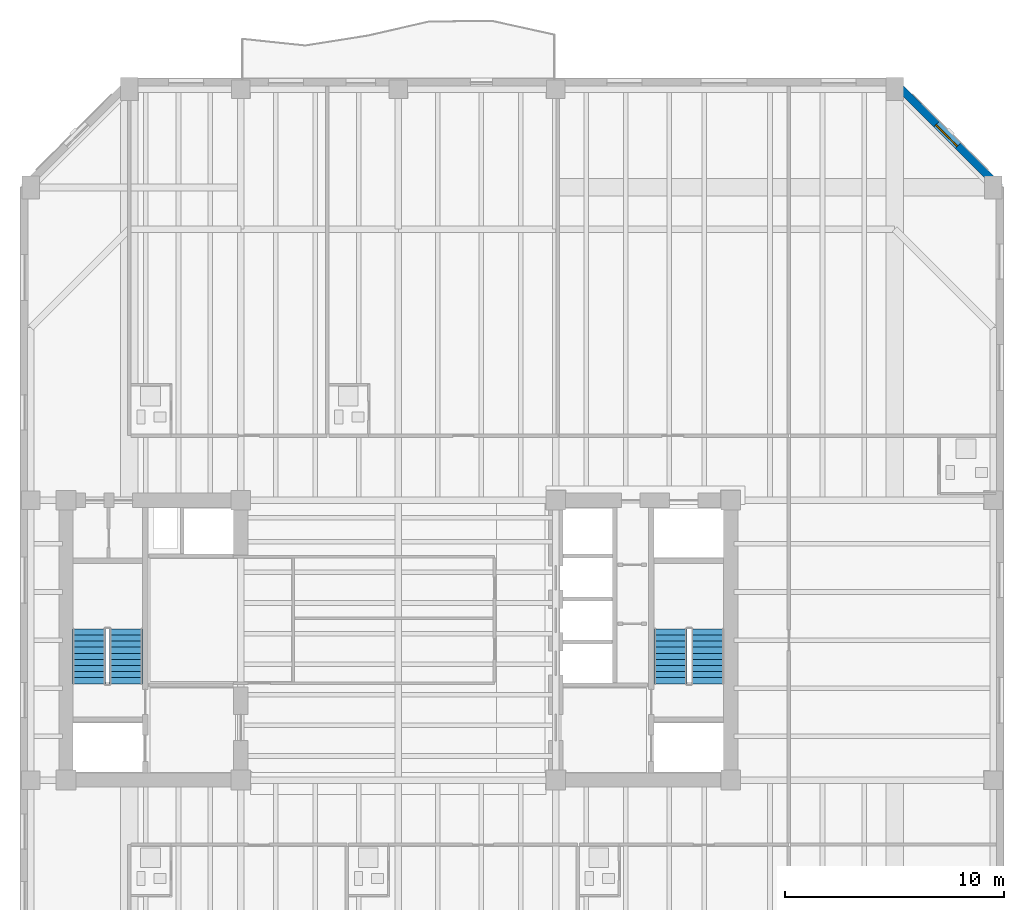
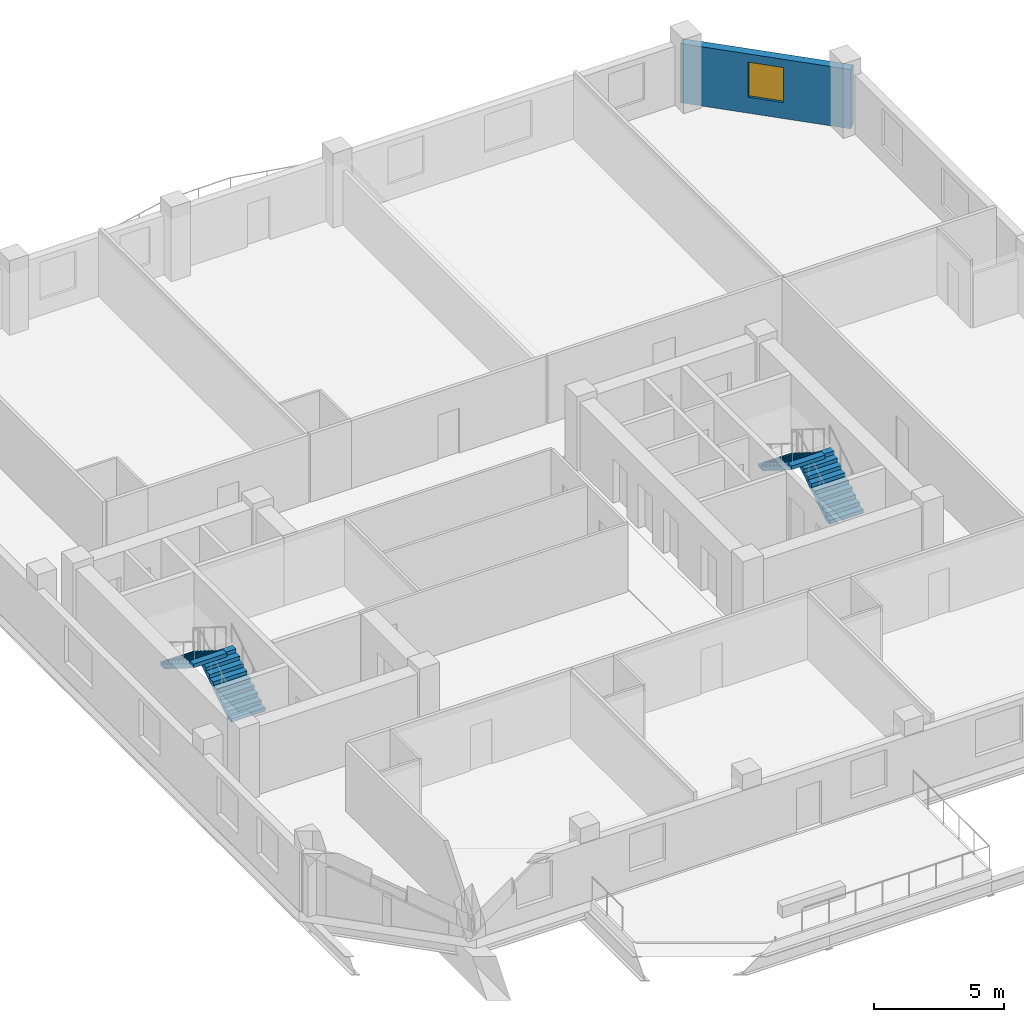
# One storey, part 6 of 10: 4 stair flights, 1 wall, 1 window, 1 opening, 2 elements without a shape of their own.
"""IFC4 building model written with IfcOpenShell, lengths in metres."""

from ifc_helpers import new_model, si_unit, direction, frame, frame_2d, origin, place, context, subcontext, project, spatial, polyline, rectangle, outline, extrude, material, layer, layer_set, type_object, element, fill, aggregate, save


model = new_model("IFC4")

# Units and contexts
model_context = context("Model", 3, precision=1e-05, world=origin(), true_north=direction((0.0, 1.0)))
body_context = subcontext(model_context, "Body", "Model", "MODEL_VIEW")
ifc_project = project(units=[si_unit("LENGTHUNIT", "METRE"), si_unit("AREAUNIT", "SQUARE_METRE"), si_unit("VOLUMEUNIT", "CUBIC_METRE"), si_unit("PLANEANGLEUNIT", "RADIAN"), si_unit("MASSUNIT", "GRAM", prefix="KILO")], contexts=[model_context])

# Site, building, storey
site_placement = place(None, origin())
site = spatial("IfcSite", under=ifc_project, at=site_placement, CompositionType="ELEMENT")
building_placement = place(site_placement, origin())
building = spatial("IfcBuilding", under=site, at=building_placement, Name="Kranthara Brick Stack", CompositionType="ELEMENT")
storey_placement = place(building_placement, frame((0.0, 0.0, 162.300048828125)))
storey = spatial("IfcBuildingStorey", under=building, at=storey_placement, Name="L41", CompositionType="ELEMENT", Elevation=162.300048828125)

# Wall, opening, window
ifc_material_1 = material(Name="Kiln-fired clay brick masonry M15", Category="masonry")
ifc_layer = layer(ifc_material_1, 0.35009765625)
ifc_layer_set = layer_set([ifc_layer], Name="Kiln-fired clay brick masonry M15")
wall_type = type_object("IfcWallType", Name="WL-BRK-SPND-350", PredefinedType="STANDARD", material=ifc_layer_set)
wall_placement = place(storey_placement, frame((50.699951171875, 52.705078125, 0.0), z_axis=(0.0, 0.0, 1.0), x_axis=(0.707088817216, -0.7071247447, 0.0)))
wall = element("IfcWall", 1, at=wall_placement, inside=storey, type_object=wall_type, Name="L41 Exterior Brick Facade Wall NE 1", PredefinedType="STANDARD", context=body_context, shape_type="SweptSolid", body=[
    extrude(rectangle(XDim=6.79541015625, YDim=0.35009765625, at=frame_2d((3.397705078125, 0.0))), origin(), (0.0, 0.0, 1.0), 2.784912109375),
])
opening_placement = place(wall_placement, frame((2.697998046875, 0.0, 0.75)))
opening = element("IfcOpeningElement", 2, at=opening_placement, cuts=wall, Name="Opening WN10", PredefinedType="OPENING", context=body_context, shape_type="SweptSolid", body=[
    extrude(rectangle(XDim=1.39990234375, YDim=1.64990234375, at=frame_2d((0.699951171875, 0.824951171875))), frame((0.0, 0.18505859375, 0.0), z_axis=(0.0, -1.0, 0.0), x_axis=(1.0, 0.0, 0.0)), (0.0, 0.0, 1.0), 0.3701171875),
])
ifc_material_2 = material(Name="Double-glazed low-E solar control glass", Category="glass")
window_type = type_object("IfcWindowType", Name="WN-CHM-1400x1750", PartitioningType="SINGLE_PANEL", PredefinedType="WINDOW", material=ifc_material_2)
window_placement = place(opening_placement, origin())
window = element("IfcWindow", 3, at=window_placement, inside=storey, type_object=window_type, Name="L41 NE Chamfer Corner Window", OverallHeight=1.64990234375, OverallWidth=1.39990234375, PartitioningType="SINGLE_PANEL", PredefinedType="WINDOW", context=body_context, shape_type="SweptSolid", body=[
    extrude(rectangle(XDim=1.39990234375, YDim=1.64990234375, at=frame_2d((0.699951171875, 0.824951171875))), frame((0.0, -0.010009765625, 0.0), z_axis=(0.0, -1.0, 0.0), x_axis=(1.0, 0.0, 0.0)), (0.0, 0.0, 1.0), 0.06005859375),
])
fill(opening, window)

# Stair, stair flights
ifc_material_3 = material(Name="Concrete C45/55", Category="concrete")
stair_type = type_object("IfcStairType", Name="ST-CORE-20R", PredefinedType="HALF_TURN_STAIR", material=ifc_material_3)
stair_1_placement = place(storey_placement, origin())
stair_1 = element("IfcStair", 4, at=stair_1_placement, inside=storey, type_object=stair_type, Name="L41 West Core Protected Exit Stair ST01", PredefinedType="HALF_TURN_STAIR")
ifc_material_4 = material(Name="Concrete C45/55", Category="concrete")
stair_flight_type = type_object("IfcStairFlightType", Name="SFL-RC-20R", PredefinedType="STRAIGHT", material=ifc_material_4)
stair_flight_1_placement = place(storey_placement, frame((15.550048828125, 25.199951171875, 0.0), z_axis=(0.0, 0.0, 1.0), x_axis=(0.0, 1.0, 0.0)))
stair_flight_1 = element("IfcStairFlight", 5, at=stair_flight_1_placement, type_object=stair_flight_type, Name="ST01 flight 1", NumberOfRisers=10, NumberOfTreads=9, PredefinedType="STRAIGHT", RiserHeight=0.175, TreadLength=0.28, context=body_context, shape_type="SweptSolid", body=[
    extrude(outline(polyline([(0.0, 0.0), (0.0, 0.175048828125), (0.280029296875, 0.175048828125), (0.280029296875, 0.35009765625), (0.56005859375, 0.35009765625), (0.56005859375, 0.52490234375), (0.840087890625, 0.52490234375), (0.840087890625, 0.699951171875), (1.1201171875, 0.699951171875), (1.1201171875, 0.875), (1.39990234375, 0.875), (1.39990234375, 1.050048828125), (1.679931640625, 1.050048828125), (1.679931640625, 1.22509765625), (1.9599609375, 1.22509765625), (1.9599609375, 1.39990234375), (2.239990234375, 1.39990234375), (2.239990234375, 1.574951171875), (2.52001953125, 1.574951171875), (2.52001953125, 1.75), (2.52001953125, 1.398193359375), (0.28271484375, 0.0), (0.0, 0.0)])), frame((0.0, 0.75, 0.0), z_axis=(0.0, -1.0, 0.0), x_axis=(1.0, 0.0, 0.0)), (0.0, 0.0, 1.0), 1.5),
])
stair_flight_2_placement = place(storey_placement, frame((13.85009765625, 27.719970703125, 1.75), z_axis=(0.0, 0.0, 1.0), x_axis=(0.0, -1.0, 0.0)))
stair_flight_2 = element("IfcStairFlight", 6, at=stair_flight_2_placement, type_object=stair_flight_type, Name="ST01 flight 2", NumberOfRisers=10, NumberOfTreads=9, PredefinedType="STRAIGHT", RiserHeight=0.175, TreadLength=0.28, context=body_context, shape_type="SweptSolid", body=[
    extrude(outline(polyline([(0.0, 0.0), (0.0, 0.175048828125), (0.280029296875, 0.175048828125), (0.280029296875, 0.35009765625), (0.56005859375, 0.35009765625), (0.56005859375, 0.52490234375), (0.840087890625, 0.52490234375), (0.840087890625, 0.699951171875), (1.1201171875, 0.699951171875), (1.1201171875, 0.875), (1.39990234375, 0.875), (1.39990234375, 1.050048828125), (1.679931640625, 1.050048828125), (1.679931640625, 1.22509765625), (1.9599609375, 1.22509765625), (1.9599609375, 1.39990234375), (2.239990234375, 1.39990234375), (2.239990234375, 1.574951171875), (2.52001953125, 1.574951171875), (2.52001953125, 1.75), (2.52001953125, 1.398193359375), (0.28271484375, 0.0), (0.0, 0.0)])), frame((0.0, 0.75, 0.0), z_axis=(0.0, -1.0, 0.0), x_axis=(1.0, 0.0, 0.0)), (0.0, 0.0, 1.0), 1.5),
])
aggregate(stair_1, [stair_flight_1, stair_flight_2])

stair_2_placement = place(storey_placement, origin())
stair_2 = element("IfcStair", 7, at=stair_2_placement, inside=storey, type_object=stair_type, Name="L41 East Core Protected Exit Stair ST02", PredefinedType="HALF_TURN_STAIR")
stair_flight_3_placement = place(storey_placement, frame((42.14990234375, 25.199951171875, 0.0), z_axis=(0.0, 0.0, 1.0), x_axis=(0.0, 1.0, 0.0)))
stair_flight_3 = element("IfcStairFlight", 8, at=stair_flight_3_placement, type_object=stair_flight_type, Name="ST02 flight 1", NumberOfRisers=10, NumberOfTreads=9, PredefinedType="STRAIGHT", RiserHeight=0.175, TreadLength=0.28, context=body_context, shape_type="SweptSolid", body=[
    extrude(outline(polyline([(0.0, 0.0), (0.0, 0.175048828125), (0.280029296875, 0.175048828125), (0.280029296875, 0.35009765625), (0.56005859375, 0.35009765625), (0.56005859375, 0.52490234375), (0.840087890625, 0.52490234375), (0.840087890625, 0.699951171875), (1.1201171875, 0.699951171875), (1.1201171875, 0.875), (1.39990234375, 0.875), (1.39990234375, 1.050048828125), (1.679931640625, 1.050048828125), (1.679931640625, 1.22509765625), (1.9599609375, 1.22509765625), (1.9599609375, 1.39990234375), (2.239990234375, 1.39990234375), (2.239990234375, 1.574951171875), (2.52001953125, 1.574951171875), (2.52001953125, 1.75), (2.52001953125, 1.398193359375), (0.28271484375, 0.0), (0.0, 0.0)])), frame((0.0, 0.75, 0.0), z_axis=(0.0, -1.0, 0.0), x_axis=(1.0, 0.0, 0.0)), (0.0, 0.0, 1.0), 1.5),
])
stair_flight_4_placement = place(storey_placement, frame((40.449951171875, 27.719970703125, 1.75), z_axis=(0.0, 0.0, 1.0), x_axis=(0.0, -1.0, 0.0)))
stair_flight_4 = element("IfcStairFlight", 9, at=stair_flight_4_placement, type_object=stair_flight_type, Name="ST02 flight 2", NumberOfRisers=10, NumberOfTreads=9, PredefinedType="STRAIGHT", RiserHeight=0.175, TreadLength=0.28, context=body_context, shape_type="SweptSolid", body=[
    extrude(outline(polyline([(0.0, 0.0), (0.0, 0.175048828125), (0.280029296875, 0.175048828125), (0.280029296875, 0.35009765625), (0.56005859375, 0.35009765625), (0.56005859375, 0.52490234375), (0.840087890625, 0.52490234375), (0.840087890625, 0.699951171875), (1.1201171875, 0.699951171875), (1.1201171875, 0.875), (1.39990234375, 0.875), (1.39990234375, 1.050048828125), (1.679931640625, 1.050048828125), (1.679931640625, 1.22509765625), (1.9599609375, 1.22509765625), (1.9599609375, 1.39990234375), (2.239990234375, 1.39990234375), (2.239990234375, 1.574951171875), (2.52001953125, 1.574951171875), (2.52001953125, 1.75), (2.52001953125, 1.398193359375), (0.28271484375, 0.0), (0.0, 0.0)])), frame((0.0, 0.75, 0.0), z_axis=(0.0, -1.0, 0.0), x_axis=(1.0, 0.0, 0.0)), (0.0, 0.0, 1.0), 1.5),
])
aggregate(stair_2, [stair_flight_3, stair_flight_4])

save(model, "model.ifc")
